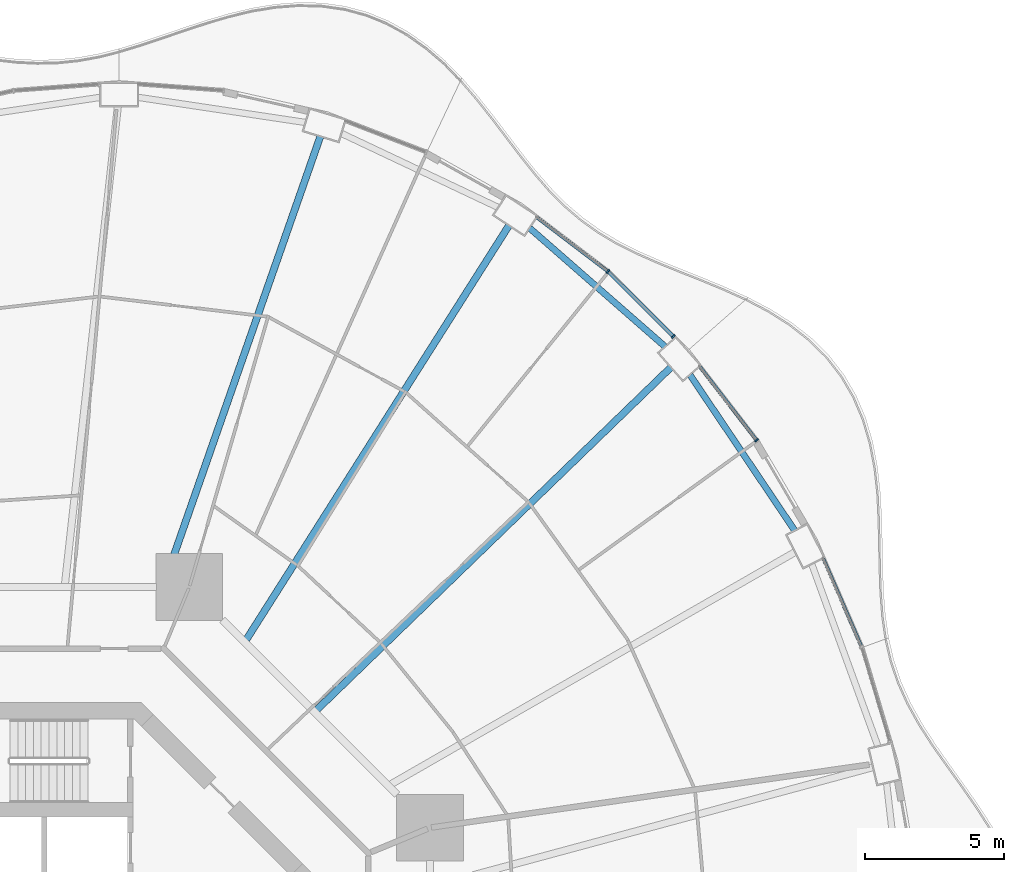
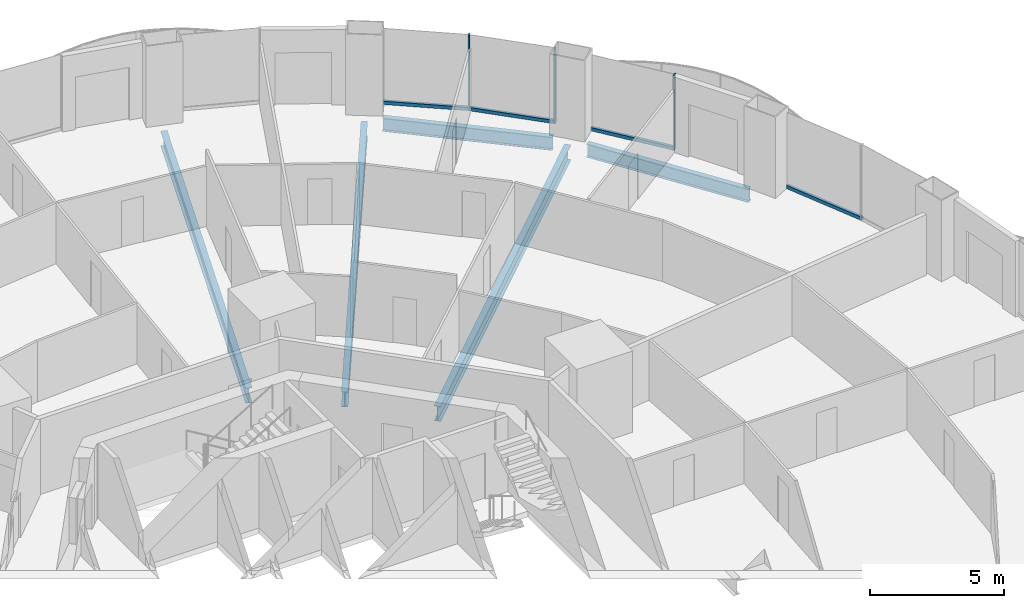
# One storey, part 10 of 22: 7 members, 5 beams, 4 elements without a shape of their own.
"""IFC4 building model written with IfcOpenShell, lengths in metres."""

from ifc_helpers import new_model, si_unit, direction, frame, origin, origin_2d, place, context, subcontext, project, spatial, rectangle, i_section, extrude, material, layer, layer_set, material_profile, profile_set, type_object, element, aggregate, save


model = new_model("IFC4")

# Units and contexts
model_context = context("Model", 3, precision=1e-05, world=origin(), true_north=direction((0.0, 1.0)))
body_context = subcontext(model_context, "Body", "Model", "MODEL_VIEW")
ifc_project = project(units=[si_unit("LENGTHUNIT", "METRE"), si_unit("AREAUNIT", "SQUARE_METRE"), si_unit("VOLUMEUNIT", "CUBIC_METRE"), si_unit("PLANEANGLEUNIT", "RADIAN"), si_unit("MASSUNIT", "GRAM", prefix="KILO")], contexts=[model_context])

# Site, building, storey
site_placement = place(None, origin())
site = spatial("IfcSite", under=ifc_project, at=site_placement, CompositionType="ELEMENT")
building_placement = place(site_placement, origin())
building = spatial("IfcBuilding", under=site, at=building_placement, Name="Nagisa Residences", CompositionType="ELEMENT")
storey_placement = place(building_placement, frame((0.0, 0.0, 52.89990234375)))
storey = spatial("IfcBuildingStorey", under=building, at=storey_placement, Name="L12", CompositionType="ELEMENT", Elevation=52.89990234375)

# Curtain wall, member
ifc_material_1 = material(Name="Concrete-coloured aluminium curtain wall system", Category="concrete")
ifc_layer = layer(ifc_material_1, 0.159912109375)
ifc_layer_set = layer_set([ifc_layer], Name="CW1 CURTAIN WALL")
curtain_wall_type = type_object("IfcCurtainWallType", Name="CW1 CURTAIN WALL", PredefinedType="NOTDEFINED", material=ifc_layer_set)
curtain_wall_1_placement = place(storey_placement, origin())
curtain_wall_1 = element("IfcCurtainWall", 1, at=curtain_wall_1_placement, inside=storey, type_object=curtain_wall_type, Name="cw:CW1:L12:05", PredefinedType="NOTDEFINED")
ifc_material_2 = material(Name="Concrete-coloured aluminium", Category="concrete")
ifc_material_profile_1 = material_profile(ifc_material_2, rectangle(XDim=0.159912109375, YDim=0.06005859375, at=origin_2d()), Name="CW1 MULLION 160x60")
ifc_profile_set_1 = profile_set([ifc_material_profile_1], Name="Concrete-coloured aluminium")
member_type_1 = type_object("IfcMemberType", Name="CW1 MULLION 160x60", PredefinedType="MULLION", material=ifc_profile_set_1)
member_1_placement = place(storey_placement, frame((26.525634765625, 20.06396484375, 0.0), z_axis=(0.0, 0.0, 1.0), x_axis=(-0.792070340816, -0.610429828235, 0.0)))
member_1 = element("IfcMember", 2, at=member_1_placement, type_object=member_type_1, Name="CW1 mullion", PredefinedType="MULLION", context=body_context, shape_type="SweptSolid", body=[
    extrude(rectangle(XDim=0.159912109375, YDim=0.06005859375, at=origin_2d()), origin(), (0.0, 0.0, 1.0), 3.440185546875),
])

curtain_wall_2_placement = place(storey_placement, origin())
curtain_wall_2 = element("IfcCurtainWall", 3, at=curtain_wall_2_placement, inside=storey, type_object=curtain_wall_type, Name="cw:CW1:L12:06", PredefinedType="NOTDEFINED")
member_2_placement = place(storey_placement, frame((23.532958984375, 23.79345703125, 0.0), z_axis=(0.0, 0.0, 1.0), x_axis=(-0.706376885714, -0.707835924016, 0.0)))
member_2 = element("IfcMember", 4, at=member_2_placement, type_object=member_type_1, Name="CW1 mullion", PredefinedType="MULLION", context=body_context, shape_type="SweptSolid", body=[
    extrude(rectangle(XDim=0.159912109375, YDim=0.06005859375, at=origin_2d()), origin(), (0.0, 0.0, 1.0), 3.440185546875),
])

curtain_wall_3_placement = place(storey_placement, origin())
curtain_wall_3 = element("IfcCurtainWall", 5, at=curtain_wall_3_placement, inside=storey, type_object=curtain_wall_type, Name="cw:CW1:L12:07", PredefinedType="NOTDEFINED")
member_3_placement = place(storey_placement, frame((21.181884765625, 26.13525390625, 0.0), z_axis=(0.0, 0.0, 1.0), x_axis=(-0.605255421737, -0.79603132756, 0.0)))
member_3 = element("IfcMember", 6, at=member_3_placement, type_object=member_type_1, Name="CW1 mullion", PredefinedType="MULLION", context=body_context, shape_type="SweptSolid", body=[
    extrude(rectangle(XDim=0.159912109375, YDim=0.06005859375, at=origin_2d()), origin(), (0.0, 0.0, 1.0), 3.440185546875),
])

curtain_wall_4_placement = place(storey_placement, origin())
curtain_wall_4 = element("IfcCurtainWall", 7, at=curtain_wall_4_placement, inside=storey, type_object=curtain_wall_type, Name="cw:CW1:L12:03", PredefinedType="NOTDEFINED")
ifc_material_3 = material(Name="Concrete-coloured aluminium", Category="concrete")
ifc_material_profile_2 = material_profile(ifc_material_3, rectangle(XDim=0.1201171875, YDim=0.14990234375, at=origin_2d()), Name="CW1 TRANSOM 120x150")
ifc_profile_set_2 = profile_set([ifc_material_profile_2], Name="Concrete-coloured aluminium")
member_type_2 = type_object("IfcMemberType", Name="CW1 TRANSOM 120x150", PredefinedType="USERDEFINED", material=ifc_profile_set_2)
member_4_placement = place(storey_placement, frame((30.319091796875, 12.5966796875, 0.0751953125), z_axis=(-0.397624958345, 0.917548032803, 0.0), x_axis=(-0.917548032803, -0.397624958345, 0.0)))
member_4 = element("IfcMember", 8, at=member_4_placement, type_object=member_type_2, Name="CW1 transom", ObjectType="TRANSOM", PredefinedType="USERDEFINED", context=body_context, shape_type="SweptSolid", body=[
    extrude(rectangle(XDim=0.1201171875, YDim=0.14990234375, at=origin_2d()), origin(), (0.0, 0.0, 1.0), 3.51953125),
])
aggregate(curtain_wall_4, [member_4])

# Member
member_5_placement = place(storey_placement, frame((26.5439453125, 20.040283203125, 0.0751953125), z_axis=(-0.610457147657, 0.792049285635, 0.0), x_axis=(-0.792049285635, -0.610457147657, 0.0)))
member_5 = element("IfcMember", 9, at=member_5_placement, type_object=member_type_2, Name="CW1 transom", ObjectType="TRANSOM", PredefinedType="USERDEFINED", context=body_context, shape_type="SweptSolid", body=[
    extrude(rectangle(XDim=0.1201171875, YDim=0.14990234375, at=origin_2d()), origin(), (0.0, 0.0, 1.0), 3.3974609375),
])

aggregate(curtain_wall_1, [member_1, member_5])

member_6_placement = place(storey_placement, frame((23.55419921875, 23.7724609375, 0.0751953125), z_axis=(-0.707876350734, 0.706336373176, 0.0), x_axis=(-0.706336373176, -0.707876350734, 0.0)))
member_6 = element("IfcMember", 10, at=member_6_placement, type_object=member_type_2, Name="CW1 transom", ObjectType="TRANSOM", PredefinedType="USERDEFINED", context=body_context, shape_type="SweptSolid", body=[
    extrude(rectangle(XDim=0.1201171875, YDim=0.14990234375, at=origin_2d()), origin(), (0.0, 0.0, 1.0), 3.329345703125),
])

aggregate(curtain_wall_2, [member_2, member_6])

member_7_placement = place(storey_placement, frame((21.20556640625, 26.116943359375, 0.0751953125), z_axis=(-0.79599487499, 0.605303361125, 0.0), x_axis=(-0.605303361125, -0.79599487499, 0.0)))
member_7 = element("IfcMember", 11, at=member_7_placement, type_object=member_type_2, Name="CW1 transom", ObjectType="TRANSOM", PredefinedType="USERDEFINED", context=body_context, shape_type="SweptSolid", body=[
    extrude(rectangle(XDim=0.1201171875, YDim=0.14990234375, at=origin_2d()), origin(), (0.0, 0.0, 1.0), 3.26220703125),
])

aggregate(curtain_wall_3, [member_3, member_7])

# Beams
ifc_material_4 = material(Name="Steel ASTM A572 Gr 50", Category="steel")
ifc_material_profile_3 = material_profile(ifc_material_4, i_section(OverallWidth=0.22802734375, OverallDepth=0.60302734375, WebThickness=0.010498046875, FlangeThickness=0.014892578125, at=origin_2d()), Name="W610x101")
ifc_profile_set_3 = profile_set([ifc_material_profile_3], Name="Steel ASTM A572 Gr 50")
beam_type_1 = type_object("IfcBeamType", Name="Perimeter ring beam W610x101", PredefinedType="BEAM", material=ifc_profile_set_3)
beam_1_placement = place(storey_placement, frame((27.899169921875, 16.818603515625, -0.5615234375), z_axis=(-0.558271879663, 0.829658067144, 0.0), x_axis=(-0.829658067144, -0.558271879663, 0.0)))
element("IfcBeam", 12, at=beam_1_placement, inside=storey, type_object=beam_type_1, Name="beam:L12:pb03", PredefinedType="BEAM", context=body_context, shape_type="SweptSolid", body=[
    extrude(i_section(OverallWidth=0.22802734375, OverallDepth=0.60302734375, WebThickness=0.010498046875, FlangeThickness=0.014892578125, at=origin_2d()), origin(), (0.0, 0.0, 1.0), 6.74169921875),
])
beam_2_placement = place(storey_placement, frame((23.236328125, 23.432861328125, -0.5615234375), z_axis=(-0.7525907186, 0.658488580217, 0.0), x_axis=(-0.658488580217, -0.7525907186, 0.0)))
element("IfcBeam", 13, at=beam_2_placement, inside=storey, type_object=beam_type_1, Name="beam:L12:pb04", PredefinedType="BEAM", context=body_context, shape_type="SweptSolid", body=[
    extrude(i_section(OverallWidth=0.22802734375, OverallDepth=0.60302734375, WebThickness=0.010498046875, FlangeThickness=0.014892578125, at=origin_2d()), origin(), (0.0, 0.0, 1.0), 6.470458984375),
])
ifc_material_5 = material(Name="Steel ASTM A572 Gr 50", Category="steel")
ifc_material_profile_4 = material_profile(ifc_material_5, i_section(OverallWidth=0.25390625, OverallDepth=0.68408203125, WebThickness=0.012451171875, FlangeThickness=0.018798828125, at=origin_2d()), Name="W690x140")
ifc_profile_set_4 = profile_set([ifc_material_profile_4], Name="Steel ASTM A572 Gr 50")
beam_type_2 = type_object("IfcBeamType", Name="Radial beam W690x140", PredefinedType="BEAM", material=ifc_profile_set_4)
beam_3_placement = place(storey_placement, frame((23.443115234375, 22.681640625, -0.601806640625), z_axis=(-0.718678305776, -0.695342716081, 0.0), x_axis=(0.695342716081, -0.718678305776, 0.0)))
element("IfcBeam", 14, at=beam_3_placement, inside=storey, type_object=beam_type_2, Name="beam:L12:rb04", PredefinedType="BEAM", context=body_context, shape_type="SweptSolid", body=[
    extrude(i_section(OverallWidth=0.25390625, OverallDepth=0.68408203125, WebThickness=0.012451171875, FlangeThickness=0.018798828125, at=origin_2d()), origin(), (0.0, 0.0, 1.0), 17.722900390625),
])
beam_4_placement = place(storey_placement, frame((17.61962890625, 27.78271484375, -0.601806640625), z_axis=(-0.53556610664, -0.844493306911, 0.0), x_axis=(0.844493306911, -0.53556610664, 0.0)))
element("IfcBeam", 15, at=beam_4_placement, inside=storey, type_object=beam_type_2, Name="beam:L12:rb05", PredefinedType="BEAM", context=body_context, shape_type="SweptSolid", body=[
    extrude(i_section(OverallWidth=0.25390625, OverallDepth=0.68408203125, WebThickness=0.012451171875, FlangeThickness=0.018798828125, at=origin_2d()), origin(), (0.0, 0.0, 1.0), 17.63525390625),
])
beam_5_placement = place(storey_placement, frame((10.834228515625, 30.986328125, -0.601806640625), z_axis=(-0.330051195485, -0.943963033364, 0.0), x_axis=(0.943963033364, -0.330051195485, 0.0)))
element("IfcBeam", 16, at=beam_5_placement, inside=storey, type_object=beam_type_2, Name="beam:L12:rb06", PredefinedType="BEAM", context=body_context, shape_type="SweptSolid", body=[
    extrude(i_section(OverallWidth=0.25390625, OverallDepth=0.68408203125, WebThickness=0.012451171875, FlangeThickness=0.018798828125, at=origin_2d()), origin(), (0.0, 0.0, 1.0), 17.045654296875),
])

save(model, "model.ifc")
